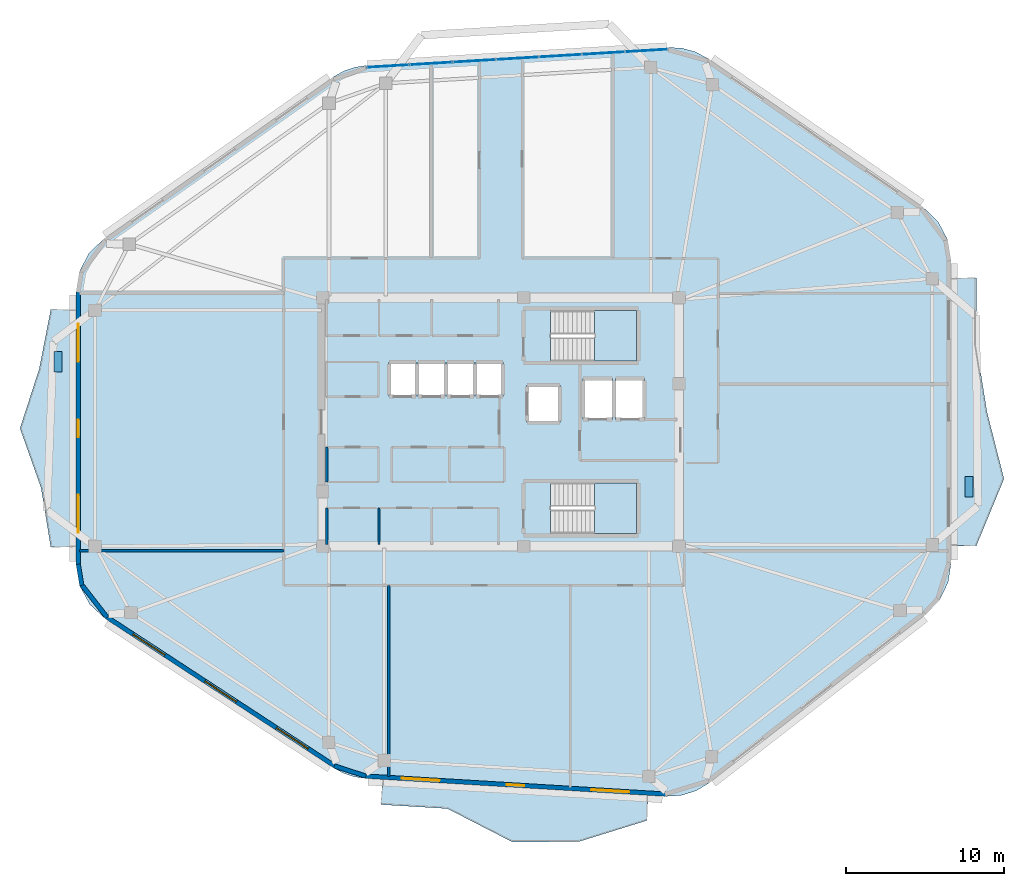
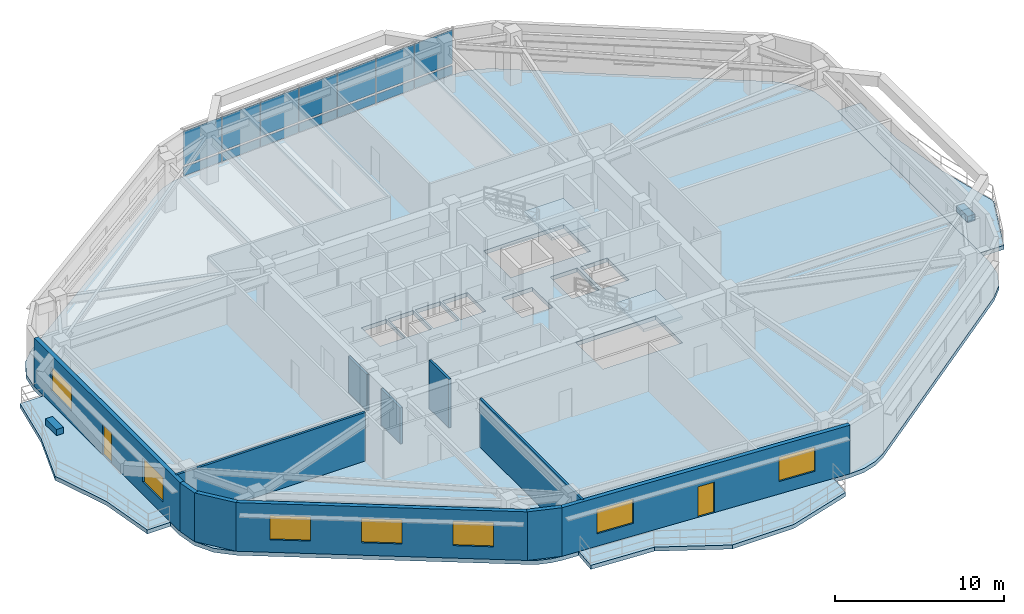
# One storey, part 5 of 12: 16 plates, 11 walls, 7 windows, 6 slabs, 2 doors, 9 openings, 3 elements without a shape of their own.
"""IFC4 building model written with IfcOpenShell, lengths in metres."""

from ifc_helpers import new_model, si_unit, direction, frame, frame_2d, origin, origin_2d, place, context, subcontext, project, spatial, polyline, rectangle, outline, extrude, material, layer, layer_set, type_object, element, fill, aggregate, save


model = new_model("IFC4")

# Units and contexts
model_context = context("Model", 3, precision=1e-05, world=origin(), true_north=direction((0.0, 1.0)))
body_context = subcontext(model_context, "Body", "Model", "MODEL_VIEW")
ifc_project = project(units=[si_unit("LENGTHUNIT", "METRE"), si_unit("AREAUNIT", "SQUARE_METRE"), si_unit("VOLUMEUNIT", "CUBIC_METRE"), si_unit("PLANEANGLEUNIT", "RADIAN"), si_unit("MASSUNIT", "GRAM", prefix="KILO")], contexts=[model_context])

# Site, building, storey
site_placement = place(None, origin())
site = spatial("IfcSite", under=ifc_project, at=site_placement, CompositionType="ELEMENT")
building_placement = place(site_placement, origin())
building = spatial("IfcBuilding", under=site, at=building_placement, Name="Zulverin Broadcast Headquarters", CompositionType="ELEMENT")
storey_placement = place(building_placement, frame((0.0, 0.0, 240.199951171875)))
storey = spatial("IfcBuildingStorey", under=building, at=storey_placement, Name="L61", CompositionType="ELEMENT", Elevation=240.199951171875)

# Curtain wall, plates
ifc_material_1 = material(Name="High-zone solar-control unitised curtain wall", Category="aluminium")
curtain_wall_type = type_object("IfcCurtainWallType", Name="CW-TWR-UPP", PredefinedType="USERDEFINED", material=ifc_material_1)
curtain_wall_placement = place(storey_placement, origin())
curtain_wall = element("IfcCurtainWall", 1, at=curtain_wall_placement, inside=storey, type_object=curtain_wall_type, Name="L61 Unitised Curtain Wall CW-L61-E5", ObjectType="UNITISED CURTAIN WALL", PredefinedType="USERDEFINED")
ifc_material_2 = material(Name="Low-E double-glazed pale-silver vision glass", Category="glass")
ifc_layer_1 = layer(ifc_material_2, 0.035888671875, Name="Low-E double-glazed pale-silver vision glass", Category="glass")
ifc_layer_set_1 = layer_set([ifc_layer_1], Name="Low-E double-glazed pale-silver vision glass")
plate_type_1 = type_object("IfcPlateType", Name="CW-PNL-GLZ", PredefinedType="CURTAIN_PANEL", material=ifc_layer_set_1)
plate_1_placement = place(storey_placement, frame((46.201904296875, 48.713623046875, 0.9072265625), z_axis=(0.0, 0.0, 1.0), x_axis=(-0.99820257679, -0.059930090026, 0.0)))
plate_1 = element("IfcPlate", 2, at=plate_1_placement, type_object=plate_type_1, Name="CW-L61-E5 Vision Panel 00", PredefinedType="CURTAIN_PANEL", context=body_context, shape_type="SweptSolid", body=[
    extrude(rectangle(XDim=2.690185546875, YDim=0.035888671875, at=origin_2d()), origin(), (0.0, 0.0, 1.0), 2.462646484375),
])
plate_2_placement = place(storey_placement, frame((43.476806640625, 48.550048828125, 0.9072265625), z_axis=(0.0, 0.0, 1.0), x_axis=(-0.99820257679, -0.059930090026, 0.0)))
plate_2 = element("IfcPlate", 3, at=plate_2_placement, type_object=plate_type_1, Name="CW-L61-E5 Vision Panel 01", PredefinedType="CURTAIN_PANEL", context=body_context, shape_type="SweptSolid", body=[
    extrude(rectangle(XDim=2.690185546875, YDim=0.035888671875, at=origin_2d()), origin(), (0.0, 0.0, 1.0), 2.462646484375),
])
plate_3_placement = place(storey_placement, frame((40.751708984375, 48.386474609375, 0.9072265625), z_axis=(0.0, 0.0, 1.0), x_axis=(-0.99820257679, -0.059930090026, 0.0)))
plate_3 = element("IfcPlate", 4, at=plate_3_placement, type_object=plate_type_1, Name="CW-L61-E5 Vision Panel 02", PredefinedType="CURTAIN_PANEL", context=body_context, shape_type="SweptSolid", body=[
    extrude(rectangle(XDim=2.690185546875, YDim=0.035888671875, at=origin_2d()), origin(), (0.0, 0.0, 1.0), 2.462646484375),
])
plate_4_placement = place(storey_placement, frame((38.0263671875, 48.222900390625, 0.9072265625), z_axis=(0.0, 0.0, 1.0), x_axis=(-0.99820257679, -0.059930090026, 0.0)))
plate_4 = element("IfcPlate", 5, at=plate_4_placement, type_object=plate_type_1, Name="CW-L61-E5 Vision Panel 03", PredefinedType="CURTAIN_PANEL", context=body_context, shape_type="SweptSolid", body=[
    extrude(rectangle(XDim=2.690185546875, YDim=0.035888671875, at=origin_2d()), origin(), (0.0, 0.0, 1.0), 2.462646484375),
])
plate_5_placement = place(storey_placement, frame((35.301025390625, 48.05908203125, 0.9072265625), z_axis=(0.0, 0.0, 1.0), x_axis=(-0.99820257679, -0.059930090026, 0.0)))
plate_5 = element("IfcPlate", 6, at=plate_5_placement, type_object=plate_type_1, Name="CW-L61-E5 Vision Panel 04", PredefinedType="CURTAIN_PANEL", context=body_context, shape_type="SweptSolid", body=[
    extrude(rectangle(XDim=2.690185546875, YDim=0.035888671875, at=origin_2d()), origin(), (0.0, 0.0, 1.0), 2.462646484375),
])
plate_6_placement = place(storey_placement, frame((32.575927734375, 47.8955078125, 0.9072265625), z_axis=(0.0, 0.0, 1.0), x_axis=(-0.99820257679, -0.059930090026, 0.0)))
plate_6 = element("IfcPlate", 7, at=plate_6_placement, type_object=plate_type_1, Name="CW-L61-E5 Vision Panel 05", PredefinedType="CURTAIN_PANEL", context=body_context, shape_type="SweptSolid", body=[
    extrude(rectangle(XDim=2.690185546875, YDim=0.035888671875, at=origin_2d()), origin(), (0.0, 0.0, 1.0), 2.462646484375),
])
plate_7_placement = place(storey_placement, frame((29.8505859375, 47.73193359375, 0.9072265625), z_axis=(0.0, 0.0, 1.0), x_axis=(-0.99820257679, -0.059930090026, 0.0)))
plate_7 = element("IfcPlate", 8, at=plate_7_placement, type_object=plate_type_1, Name="CW-L61-E5 Vision Panel 06", PredefinedType="CURTAIN_PANEL", context=body_context, shape_type="SweptSolid", body=[
    extrude(rectangle(XDim=2.690185546875, YDim=0.035888671875, at=origin_2d()), origin(), (0.0, 0.0, 1.0), 2.462646484375),
])
ifc_material_3 = material(Name="Insulated brushed pale-aluminium spandrel cassette", Category="aluminium")
ifc_layer_2 = layer(ifc_material_3, 0.050048828125, Name="Insulated brushed pale-aluminium spandrel cassette", Category="aluminium")
ifc_layer_set_2 = layer_set([ifc_layer_2], Name="Insulated brushed pale-aluminium spandrel cassette")
plate_type_2 = type_object("IfcPlateType", Name="CW-PNL-SPN", PredefinedType="CURTAIN_PANEL", material=ifc_layer_set_2)
plate_8_placement = place(storey_placement, frame((46.201904296875, 48.713623046875, 0.14013671875), z_axis=(0.0, 0.0, 1.0), x_axis=(-0.99820257679, -0.059930090026, 0.0)))
plate_8 = element("IfcPlate", 9, at=plate_8_placement, type_object=plate_type_2, Name="CW-L61-E5 Spandrel Cassette 00", PredefinedType="CURTAIN_PANEL", context=body_context, shape_type="SweptSolid", body=[
    extrude(rectangle(XDim=2.690185546875, YDim=0.050048828125, at=origin_2d()), origin(), (0.0, 0.0, 1.0), 0.637451171875),
])
plate_9_placement = place(storey_placement, frame((43.476806640625, 48.550048828125, 0.14013671875), z_axis=(0.0, 0.0, 1.0), x_axis=(-0.99820257679, -0.059930090026, 0.0)))
plate_9 = element("IfcPlate", 10, at=plate_9_placement, type_object=plate_type_2, Name="CW-L61-E5 Spandrel Cassette 01", PredefinedType="CURTAIN_PANEL", context=body_context, shape_type="SweptSolid", body=[
    extrude(rectangle(XDim=2.690185546875, YDim=0.050048828125, at=origin_2d()), origin(), (0.0, 0.0, 1.0), 0.637451171875),
])
plate_10_placement = place(storey_placement, frame((40.751708984375, 48.386474609375, 0.14013671875), z_axis=(0.0, 0.0, 1.0), x_axis=(-0.99820257679, -0.059930090026, 0.0)))
plate_10 = element("IfcPlate", 11, at=plate_10_placement, type_object=plate_type_2, Name="CW-L61-E5 Spandrel Cassette 02", PredefinedType="CURTAIN_PANEL", context=body_context, shape_type="SweptSolid", body=[
    extrude(rectangle(XDim=2.690185546875, YDim=0.050048828125, at=origin_2d()), origin(), (0.0, 0.0, 1.0), 0.637451171875),
])
plate_11_placement = place(storey_placement, frame((38.0263671875, 48.222900390625, 0.14013671875), z_axis=(0.0, 0.0, 1.0), x_axis=(-0.99820257679, -0.059930090026, 0.0)))
plate_11 = element("IfcPlate", 12, at=plate_11_placement, type_object=plate_type_2, Name="CW-L61-E5 Spandrel Cassette 03", PredefinedType="CURTAIN_PANEL", context=body_context, shape_type="SweptSolid", body=[
    extrude(rectangle(XDim=2.690185546875, YDim=0.050048828125, at=origin_2d()), origin(), (0.0, 0.0, 1.0), 0.637451171875),
])
plate_12_placement = place(storey_placement, frame((35.301025390625, 48.05908203125, 0.14013671875), z_axis=(0.0, 0.0, 1.0), x_axis=(-0.99820257679, -0.059930090026, 0.0)))
plate_12 = element("IfcPlate", 13, at=plate_12_placement, type_object=plate_type_2, Name="CW-L61-E5 Spandrel Cassette 04", PredefinedType="CURTAIN_PANEL", context=body_context, shape_type="SweptSolid", body=[
    extrude(rectangle(XDim=2.690185546875, YDim=0.050048828125, at=origin_2d()), origin(), (0.0, 0.0, 1.0), 0.637451171875),
])
plate_13_placement = place(storey_placement, frame((32.575927734375, 47.8955078125, 0.14013671875), z_axis=(0.0, 0.0, 1.0), x_axis=(-0.99820257679, -0.059930090026, 0.0)))
plate_13 = element("IfcPlate", 14, at=plate_13_placement, type_object=plate_type_2, Name="CW-L61-E5 Spandrel Cassette 05", PredefinedType="CURTAIN_PANEL", context=body_context, shape_type="SweptSolid", body=[
    extrude(rectangle(XDim=2.690185546875, YDim=0.050048828125, at=origin_2d()), origin(), (0.0, 0.0, 1.0), 0.637451171875),
])
plate_14_placement = place(storey_placement, frame((29.8505859375, 47.73193359375, 0.14013671875), z_axis=(0.0, 0.0, 1.0), x_axis=(-0.99820257679, -0.059930090026, 0.0)))
plate_14 = element("IfcPlate", 15, at=plate_14_placement, type_object=plate_type_2, Name="CW-L61-E5 Spandrel Cassette 06", PredefinedType="CURTAIN_PANEL", context=body_context, shape_type="SweptSolid", body=[
    extrude(rectangle(XDim=2.690185546875, YDim=0.050048828125, at=origin_2d()), origin(), (0.0, 0.0, 1.0), 0.637451171875),
])
aggregate(curtain_wall, [plate_8, plate_1, plate_9, plate_2, plate_10, plate_3, plate_11, plate_4, plate_12, plate_5, plate_13, plate_6, plate_14, plate_7])

# Plates
ifc_material_4 = material(Name="Precast concrete C45/55", Category="concrete")
ifc_layer_3 = layer(ifc_material_4, 0.449951171875, Name="Precast concrete C45/55", Category="concrete")
ifc_layer_set_3 = layer_set([ifc_layer_3], Name="Precast concrete C45/55")
plate_type_3 = type_object("IfcPlateType", Name="PT-01_PRECAST_GFRC_TREE_PLANTER", PredefinedType="USERDEFINED", material=ifc_layer_set_3)
for number, where, z_axis, x_axis, name in (
    (16, (66.64990234375, 21.0908203125, -0.0048828125), (0.0, 0.0, 1.0), (0.0, 1.0, 0.0), "L61 Precast GFRC Tree Planter BAL_E"),
    (17, (8.949951171875, 29.0126953125, -0.0048828125), (0.0, 0.0, 1.0), (0.0, 1.0, 0.0), "L61 Precast GFRC Tree Planter BAL_W"),
):
    element("IfcPlate", number, at=place(storey_placement, frame(where, z_axis=z_axis, x_axis=x_axis)), inside=storey, type_object=plate_type_3, Name=name, ObjectType="PLANTER", PredefinedType="USERDEFINED", context=body_context, shape_type="SweptSolid", body=[
        extrude(rectangle(XDim=1.300048828125, YDim=0.5, at=origin_2d()), origin(), (0.0, 0.0, 1.0), 0.449951171875),
    ])

# Slabs
ifc_material_5 = material(Name="Concrete C40/50", Category="concrete")
ifc_layer_4 = layer(ifc_material_5, 0.2900390625, Name="Concrete C40/50", Category="concrete")
ifc_layer_set_4 = layer_set([ifc_layer_4], Name="Concrete C40/50")
slab_type_1 = type_object("IfcSlabType", Name="SLB-BAL-290", PredefinedType="FLOOR", material=ifc_layer_set_4)
slab_1_placement = place(storey_placement, frame((0.0, 0.0, -0.2900390625)))
element("IfcSlab", 18, at=slab_1_placement, inside=storey, type_object=slab_type_1, Name="L61 Cantilevered Planted Balcony Slab BAL_E", PredefinedType="FLOOR", context=body_context, shape_type="SweptSolid", body=[
    extrude(outline(polyline([(65.5, 34.32568359375), (65.5, 17.357666015625), (67.10009765625, 17.357666015625), (68.85400390625, 21.599609375), (67.773193359375, 25.841796875), (67.10009765625, 30.083740234375), (67.10009765625, 34.32568359375), (65.5, 34.32568359375)])), origin(), (0.0, 0.0, 1.0), 0.2900390625),
])
slab_2_placement = place(storey_placement, frame((0.0, 0.0, -0.2900390625)))
element("IfcSlab", 19, at=slab_2_placement, inside=storey, type_object=slab_type_1, Name="L61 Cantilevered Planted Balcony Slab BAL_S", PredefinedType="FLOOR", context=body_context, shape_type="SweptSolid", body=[
    extrude(outline(polyline([(46.32958984375, 1.55859375), (29.500244140625, 2.56884765625), (29.404296875, 0.9716796875), (33.61181640625, 0.71923828125), (37.707763671875, -1.388671875), (41.93115234375, -1.373291015625), (46.233642578125, -0.03857421875), (46.32958984375, 1.55859375)])), origin(), (0.0, 0.0, 1.0), 0.2900390625),
])
slab_3_placement = place(storey_placement, frame((0.0, 0.0, -0.2900390625)))
element("IfcSlab", 20, at=slab_3_placement, inside=storey, type_object=slab_type_1, Name="L61 Cantilevered Planted Balcony Slab BAL_W", PredefinedType="FLOOR", context=body_context, shape_type="SweptSolid", body=[
    extrude(outline(polyline([(10.10009765625, 17.2685546875), (10.10009765625, 32.3251953125), (8.5, 32.3251953125), (7.767578125, 28.56103515625), (6.550048828125, 24.797119140625), (7.882080078125, 21.03271484375), (8.5, 17.2685546875), (10.10009765625, 17.2685546875)])), origin(), (0.0, 0.0, 1.0), 0.2900390625),
])

# Stair, slab
stair_type = type_object("IfcStairType", Name="ST-CORE-1500", PredefinedType="HALF_TURN_STAIR", material=ifc_material_5)
stair_1_placement = place(storey_placement, origin())
stair_1 = element("IfcStair", 21, at=stair_1_placement, inside=storey, type_object=stair_type, Name="L61 Core Exit Stair ST-1", PredefinedType="HALF_TURN_STAIR")
ifc_layer_5 = layer(ifc_material_5, 0.199951171875, Name="Concrete C40/50", Category="concrete")
ifc_layer_set_5 = layer_set([ifc_layer_5], Name="Concrete C40/50")
slab_type_2 = type_object("IfcSlabType", Name="SLB-ST-LND200", PredefinedType="LANDING", material=ifc_layer_set_5)
slab_4_placement = place(storey_placement, frame((0.0, 0.0, 1.699951171875)))
slab_4 = element("IfcSlab", 22, at=slab_4_placement, type_object=slab_type_2, Name="ST-1 landing 1", PredefinedType="LANDING", context=body_context, shape_type="SweptSolid", body=[
    extrude(outline(polyline([(42.929931640625, 29.050048828125), (45.60009765625, 29.050048828125), (45.60009765625, 32.25), (42.929931640625, 32.25), (42.929931640625, 29.050048828125)])), origin(), (0.0, 0.0, 1.0), 0.2001953125),
])
aggregate(stair_1, [slab_4])

stair_2_placement = place(storey_placement, origin())
stair_2 = element("IfcStair", 23, at=stair_2_placement, inside=storey, type_object=stair_type, Name="L61 Core Exit Stair ST-2", PredefinedType="HALF_TURN_STAIR")
slab_5_placement = place(storey_placement, frame((0.0, 0.0, 1.699951171875)))
slab_5 = element("IfcSlab", 24, at=slab_5_placement, type_object=slab_type_2, Name="ST-2 landing 1", PredefinedType="LANDING", context=body_context, shape_type="SweptSolid", body=[
    extrude(outline(polyline([(42.929931640625, 18.14990234375), (45.60009765625, 18.14990234375), (45.60009765625, 21.35009765625), (42.929931640625, 21.35009765625), (42.929931640625, 18.14990234375)])), origin(), (0.0, 0.0, 1.0), 0.2001953125),
])
aggregate(stair_2, [slab_5])

# Slab
ifc_layer_6 = layer(ifc_material_5, 0.2900390625, Name="Concrete C40/50", Category="concrete")
ifc_layer_set_6 = layer_set([ifc_layer_6], Name="Concrete C40/50")
slab_type_3 = type_object("IfcSlabType", Name="SLB-TWR-290", PredefinedType="FLOOR", material=ifc_layer_set_6)
slab_6_placement = place(storey_placement, frame((0.0, 0.0, -0.2900390625)))
element("IfcSlab", 25, at=slab_6_placement, inside=storey, type_object=slab_type_3, Name="L61 Main Structural Floor Slab", PredefinedType="FLOOR", context=body_context, shape_type="SweptSolid", body=[
    extrude(outline(polyline([(26.405029296875, 3.295166015625), (27.029296875, 2.96044921875), (27.70166015625, 2.738037109375), (28.402099609375, 2.634765625), (47.427490234375, 1.49267578125), (48.40869140625, 1.5517578125), (49.347412109375, 1.842529296875), (50.18994140625, 2.348388671875), (63.91650390625, 13.02099609375), (64.7685546875, 13.92041015625), (65.312744140625, 15.033203125), (65.5, 16.2578125), (65.5, 35.42578125), (65.289306640625, 36.723388671875), (64.6787109375, 37.887451171875), (63.73095703125, 38.798583984375), (50.13427734375, 48.1953125), (49.3359375, 48.625244140625), (48.462890625, 48.869140625), (47.557373046875, 48.915283203125), (28.48095703125, 47.77001953125), (27.73291015625, 47.655029296875), (27.0185546875, 47.404541015625), (26.362548828125, 47.027099609375), (11.8359375, 36.775146484375), (10.9052734375, 35.865478515625), (10.306396484375, 34.710205078125), (10.10009765625, 33.42529296875), (10.10009765625, 16.168701171875), (10.322021484375, 14.83740234375), (10.96435546875, 13.650390625), (11.957275390625, 12.736328125), (26.405029296875, 3.295166015625)]), holes=[polyline([(40.155029296875, 30.75), (40.130126953125, 30.75), (40.130126953125, 32.25), (45.60009765625, 32.25), (45.60009765625, 29.050048828125), (40.155029296875, 29.050048828125), (40.155029296875, 30.75)]), polyline([(40.155029296875, 19.85009765625), (40.130126953125, 19.85009765625), (40.130126953125, 21.35009765625), (45.60009765625, 21.35009765625), (45.60009765625, 18.14990234375), (40.155029296875, 18.14990234375), (40.155029296875, 19.85009765625)]), polyline([(29.89990234375, 26.800048828125), (31.6201171875, 26.800048828125), (31.6201171875, 29.0), (29.89990234375, 29.0), (29.89990234375, 26.800048828125)]), polyline([(31.739990234375, 26.800048828125), (33.4599609375, 26.800048828125), (33.4599609375, 29.0), (31.739990234375, 29.0), (31.739990234375, 26.800048828125)]), polyline([(33.580078125, 26.800048828125), (35.300048828125, 26.800048828125), (35.300048828125, 29.0), (33.580078125, 29.0), (33.580078125, 26.800048828125)]), polyline([(35.419921875, 26.800048828125), (37.139892578125, 26.800048828125), (37.139892578125, 29.0), (35.419921875, 29.0), (35.419921875, 26.800048828125)]), polyline([(42.199951171875, 25.35009765625), (44.050048828125, 25.35009765625), (44.050048828125, 27.949951171875), (42.199951171875, 27.949951171875), (42.199951171875, 25.35009765625)]), polyline([(44.25, 25.35009765625), (46.10009765625, 25.35009765625), (46.10009765625, 27.949951171875), (44.25, 27.949951171875), (44.25, 25.35009765625)]), polyline([(38.64990234375, 25.14990234375), (40.75, 25.14990234375), (40.75, 27.550048828125), (38.64990234375, 27.550048828125), (38.64990234375, 25.14990234375)])]), origin(), (0.0, 0.0, 1.0), 0.2900390625),
])

# Wall, openings, door, windows
ifc_material_6 = material(Name="Insulated pale-metal clad concrete spandrel C40/50", Category="concrete")
ifc_layer_7 = layer(ifc_material_6, 0.280029296875, Name="Insulated pale-metal clad concrete spandrel C40/50", Category="concrete")
ifc_layer_set_7 = layer_set([ifc_layer_7], Name="Insulated pale-metal clad concrete spandrel C40/50")
wall_type_1 = type_object("IfcWallType", Name="WL-EXT-280", PredefinedType="STANDARD", material=ifc_layer_set_7)
wall_1_placement = place(storey_placement, frame((28.41064453125, 2.7744140625, 0.0), z_axis=(0.0, 0.0, 1.0), x_axis=(0.998203068368, -0.059921901676, 0.0)))
wall_1 = element("IfcWall", 26, at=wall_1_placement, inside=storey, type_object=wall_type_1, Name="L61 Pale-Metal Clad Spandrel Wall 1", PredefinedType="STANDARD", context=body_context, shape_type="SweptSolid", body=[
    extrude(rectangle(XDim=19.0595703125, YDim=0.280029296875, at=frame_2d((9.52978515625, 0.0))), origin(), (0.0, 0.0, 1.0), 3.510009765625),
])
opening_1_placement = place(wall_1_placement, frame((8.979736328125, 0.0, 0.0)))
opening_1 = element("IfcOpeningElement", 27, at=opening_1_placement, cuts=wall_1, Name="Opening D-L61-TR1", PredefinedType="OPENING", context=body_context, shape_type="SweptSolid", body=[
    extrude(rectangle(XDim=1.10009765625, YDim=2.199951171875, at=frame_2d((0.550048828125, 1.10009765625))), frame((0.0, 0.14990234375, 0.0), z_axis=(0.0, -1.0, 0.0), x_axis=(1.0, 0.0, 0.0)), (0.0, 0.0, 1.0), 0.300048828125),
])
opening_2_placement = place(wall_1_placement, frame((2.309814453125, 0.0, 0.89990234375)))
opening_2 = element("IfcOpeningElement", 28, at=opening_2_placement, cuts=wall_1, Name="Opening W-L61-E11", PredefinedType="OPENING", context=body_context, shape_type="SweptSolid", body=[
    extrude(rectangle(XDim=2.39990234375, YDim=1.75, at=frame_2d((1.199951171875, 0.875))), frame((0.0, 0.14990234375, 0.0), z_axis=(0.0, -1.0, 0.0), x_axis=(1.0, 0.0, 0.0)), (0.0, 0.0, 1.0), 0.300048828125),
])
opening_3_placement = place(wall_1_placement, frame((14.349609375, 0.0, 0.89990234375)))
opening_3 = element("IfcOpeningElement", 29, at=opening_3_placement, cuts=wall_1, Name="Opening W-L61-E12", PredefinedType="OPENING", context=body_context, shape_type="SweptSolid", body=[
    extrude(rectangle(XDim=2.39990234375, YDim=1.75, at=frame_2d((1.199951171875, 0.875))), frame((0.0, 0.14990234375, 0.0), z_axis=(0.0, -1.0, 0.0), x_axis=(1.0, 0.0, 0.0)), (0.0, 0.0, 1.0), 0.300048828125),
])
ifc_material_7 = material(Name="Thermally broken aluminium glazed", Category="aluminium")
door_type = type_object("IfcDoorType", Name="DR-TERR-1100", OperationType="SINGLE_SWING_RIGHT", PredefinedType="DOOR", material=ifc_material_7)
door_1_placement = place(opening_1_placement, origin())
door_1 = element("IfcDoor", 30, at=door_1_placement, inside=storey, type_object=door_type, Name="L61 Planted Terrace Glazed Access Door 1", OperationType="SINGLE_SWING_RIGHT", OverallHeight=2.199951171875, OverallWidth=1.10009765625, PredefinedType="DOOR", context=body_context, shape_type="SweptSolid", body=[
    extrude(rectangle(XDim=1.10009765625, YDim=2.199951171875, at=frame_2d((0.550048828125, 1.10009765625))), frame((0.0, 0.02490234375, 0.0), z_axis=(0.0, -1.0, 0.0), x_axis=(1.0, 0.0, 0.0)), (0.0, 0.0, 1.0), 0.050048828125),
])
fill(opening_1, door_1)
ifc_material_8 = material(Name="Pale anodized aluminium frame with solar-control low-E double glazing", Category="aluminium")
window_type = type_object("IfcWindowType", Name="WIN-RIB-2400", PartitioningType="SINGLE_PANEL", PredefinedType="WINDOW", material=ifc_material_8)
window_1_placement = place(opening_2_placement, origin())
window_1 = element("IfcWindow", 31, at=window_1_placement, inside=storey, type_object=window_type, Name="L61 Ribbon Glazing Window 1 1", OverallHeight=1.75, OverallWidth=2.39990234375, PartitioningType="SINGLE_PANEL", PredefinedType="WINDOW", context=body_context, shape_type="SweptSolid", body=[
    extrude(rectangle(XDim=2.39990234375, YDim=1.75, at=frame_2d((1.199951171875, 0.875))), frame((0.0, 0.030029296875, 0.0), z_axis=(0.0, -1.0, 0.0), x_axis=(1.0, 0.0, 0.0)), (0.0, 0.0, 1.0), 0.06005859375),
])
fill(opening_2, window_1)
window_2_placement = place(opening_3_placement, origin())
window_2 = element("IfcWindow", 32, at=window_2_placement, inside=storey, type_object=window_type, Name="L61 Ribbon Glazing Window 1 2", OverallHeight=1.75, OverallWidth=2.39990234375, PartitioningType="SINGLE_PANEL", PredefinedType="WINDOW", context=body_context, shape_type="SweptSolid", body=[
    extrude(rectangle(XDim=2.39990234375, YDim=1.75, at=frame_2d((1.199951171875, 0.875))), frame((0.0, 0.030029296875, 0.0), z_axis=(0.0, -1.0, 0.0), x_axis=(1.0, 0.0, 0.0)), (0.0, 0.0, 1.0), 0.06005859375),
])
fill(opening_3, window_2)

wall_2_placement = place(storey_placement, frame((10.239990234375, 33.42529296875, 0.0), z_axis=(0.0, 0.0, 1.0), x_axis=(0.0, -1.0, 0.0)))
wall_2 = element("IfcWall", 33, at=wall_2_placement, inside=storey, type_object=wall_type_1, Name="L61 Pale-Metal Clad Spandrel Wall 7", PredefinedType="STANDARD", context=body_context, shape_type="SweptSolid", body=[
    extrude(rectangle(XDim=17.256591796875, YDim=0.280029296875, at=frame_2d((8.62841796875, 0.0))), origin(), (0.0, 0.0, 1.0), 3.510009765625),
])
opening_4_placement = place(wall_2_placement, frame((8.078369140625, 0.0, 0.0)))
opening_4 = element("IfcOpeningElement", 34, at=opening_4_placement, cuts=wall_2, Name="Opening D-L61-TR7", PredefinedType="OPENING", context=body_context, shape_type="SweptSolid", body=[
    extrude(rectangle(XDim=1.10009765625, YDim=2.199951171875, at=frame_2d((0.550048828125, 1.10009765625))), frame((0.0, 0.14990234375, 0.0), z_axis=(0.0, -1.0, 0.0), x_axis=(1.0, 0.0, 0.0)), (0.0, 0.0, 1.0), 0.300048828125),
])
opening_5_placement = place(wall_2_placement, frame((2.009521484375, 0.0, 0.89990234375)))
opening_5 = element("IfcOpeningElement", 35, at=opening_5_placement, cuts=wall_2, Name="Opening W-L61-E71", PredefinedType="OPENING", context=body_context, shape_type="SweptSolid", body=[
    extrude(rectangle(XDim=2.39990234375, YDim=1.75, at=frame_2d((1.199951171875, 0.875))), frame((0.0, 0.14990234375, 0.0), z_axis=(0.0, -1.0, 0.0), x_axis=(1.0, 0.0, 0.0)), (0.0, 0.0, 1.0), 0.300048828125),
])
opening_6_placement = place(wall_2_placement, frame((12.84716796875, 0.0, 0.89990234375)))
opening_6 = element("IfcOpeningElement", 36, at=opening_6_placement, cuts=wall_2, Name="Opening W-L61-E72", PredefinedType="OPENING", context=body_context, shape_type="SweptSolid", body=[
    extrude(rectangle(XDim=2.39990234375, YDim=1.75, at=frame_2d((1.199951171875, 0.875))), frame((0.0, 0.14990234375, 0.0), z_axis=(0.0, -1.0, 0.0), x_axis=(1.0, 0.0, 0.0)), (0.0, 0.0, 1.0), 0.300048828125),
])
door_2_placement = place(opening_4_placement, origin())
door_2 = element("IfcDoor", 37, at=door_2_placement, inside=storey, type_object=door_type, Name="L61 Planted Terrace Glazed Access Door 7", OperationType="SINGLE_SWING_RIGHT", OverallHeight=2.199951171875, OverallWidth=1.10009765625, PredefinedType="DOOR", context=body_context, shape_type="SweptSolid", body=[
    extrude(rectangle(XDim=1.10009765625, YDim=2.199951171875, at=frame_2d((0.550048828125, 1.10009765625))), frame((0.0, 0.02490234375, 0.0), z_axis=(0.0, -1.0, 0.0), x_axis=(1.0, 0.0, 0.0)), (0.0, 0.0, 1.0), 0.050048828125),
])
fill(opening_4, door_2)
window_3_placement = place(opening_5_placement, origin())
window_3 = element("IfcWindow", 38, at=window_3_placement, inside=storey, type_object=window_type, Name="L61 Ribbon Glazing Window 7 1", OverallHeight=1.75, OverallWidth=2.39990234375, PartitioningType="SINGLE_PANEL", PredefinedType="WINDOW", context=body_context, shape_type="SweptSolid", body=[
    extrude(rectangle(XDim=2.39990234375, YDim=1.75, at=frame_2d((1.199951171875, 0.875))), frame((0.0, 0.030029296875, 0.0), z_axis=(0.0, -1.0, 0.0), x_axis=(1.0, 0.0, 0.0)), (0.0, 0.0, 1.0), 0.06005859375),
])
fill(opening_5, window_3)
window_4_placement = place(opening_6_placement, origin())
window_4 = element("IfcWindow", 39, at=window_4_placement, inside=storey, type_object=window_type, Name="L61 Ribbon Glazing Window 7 2", OverallHeight=1.75, OverallWidth=2.39990234375, PartitioningType="SINGLE_PANEL", PredefinedType="WINDOW", context=body_context, shape_type="SweptSolid", body=[
    extrude(rectangle(XDim=2.39990234375, YDim=1.75, at=frame_2d((1.199951171875, 0.875))), frame((0.0, 0.030029296875, 0.0), z_axis=(0.0, -1.0, 0.0), x_axis=(1.0, 0.0, 0.0)), (0.0, 0.0, 1.0), 0.06005859375),
])
fill(opening_6, window_4)

# Wall, openings, windows
wall_3_placement = place(storey_placement, frame((12.03369140625, 12.853515625, 0.0), z_axis=(0.0, 0.0, 1.0), x_axis=(0.837118352984, -0.547021812269, 0.0)))
wall_3 = element("IfcWall", 40, at=wall_3_placement, inside=storey, type_object=wall_type_1, Name="L61 Pale-Metal Clad Spandrel Wall 8", PredefinedType="STANDARD", context=body_context, shape_type="SweptSolid", body=[
    extrude(rectangle(XDim=17.25927734375, YDim=0.280029296875, at=frame_2d((8.629638671875, 0.0))), origin(), (0.0, 0.0, 1.0), 3.510009765625),
])
opening_7_placement = place(wall_3_placement, frame((2.010009765625, 0.0, 0.89990234375)))
opening_7 = element("IfcOpeningElement", 41, at=opening_7_placement, cuts=wall_3, Name="Opening W-L61-E81", PredefinedType="OPENING", context=body_context, shape_type="SweptSolid", body=[
    extrude(rectangle(XDim=2.39990234375, YDim=1.75, at=frame_2d((1.199951171875, 0.875))), frame((0.0, 0.14990234375, 0.0), z_axis=(0.0, -1.0, 0.0), x_axis=(1.0, 0.0, 0.0)), (0.0, 0.0, 1.0), 0.300048828125),
])
opening_8_placement = place(wall_3_placement, frame((7.4296875, 0.0, 0.89990234375)))
opening_8 = element("IfcOpeningElement", 42, at=opening_8_placement, cuts=wall_3, Name="Opening W-L61-E82", PredefinedType="OPENING", context=body_context, shape_type="SweptSolid", body=[
    extrude(rectangle(XDim=2.39990234375, YDim=1.75, at=frame_2d((1.199951171875, 0.875))), frame((0.0, 0.14990234375, 0.0), z_axis=(0.0, -1.0, 0.0), x_axis=(1.0, 0.0, 0.0)), (0.0, 0.0, 1.0), 0.300048828125),
])
opening_9_placement = place(wall_3_placement, frame((12.849365234375, 0.0, 0.89990234375)))
opening_9 = element("IfcOpeningElement", 43, at=opening_9_placement, cuts=wall_3, Name="Opening W-L61-E83", PredefinedType="OPENING", context=body_context, shape_type="SweptSolid", body=[
    extrude(rectangle(XDim=2.39990234375, YDim=1.75, at=frame_2d((1.199951171875, 0.875))), frame((0.0, 0.14990234375, 0.0), z_axis=(0.0, -1.0, 0.0), x_axis=(1.0, 0.0, 0.0)), (0.0, 0.0, 1.0), 0.300048828125),
])
window_5_placement = place(opening_7_placement, origin())
window_5 = element("IfcWindow", 44, at=window_5_placement, inside=storey, type_object=window_type, Name="L61 Ribbon Glazing Window 8 1", OverallHeight=1.75, OverallWidth=2.39990234375, PartitioningType="SINGLE_PANEL", PredefinedType="WINDOW", context=body_context, shape_type="SweptSolid", body=[
    extrude(rectangle(XDim=2.39990234375, YDim=1.75, at=frame_2d((1.199951171875, 0.875))), frame((0.0, 0.030029296875, 0.0), z_axis=(0.0, -1.0, 0.0), x_axis=(1.0, 0.0, 0.0)), (0.0, 0.0, 1.0), 0.06005859375),
])
fill(opening_7, window_5)
window_6_placement = place(opening_8_placement, origin())
window_6 = element("IfcWindow", 45, at=window_6_placement, inside=storey, type_object=window_type, Name="L61 Ribbon Glazing Window 8 2", OverallHeight=1.75, OverallWidth=2.39990234375, PartitioningType="SINGLE_PANEL", PredefinedType="WINDOW", context=body_context, shape_type="SweptSolid", body=[
    extrude(rectangle(XDim=2.39990234375, YDim=1.75, at=frame_2d((1.199951171875, 0.875))), frame((0.0, 0.030029296875, 0.0), z_axis=(0.0, -1.0, 0.0), x_axis=(1.0, 0.0, 0.0)), (0.0, 0.0, 1.0), 0.06005859375),
])
fill(opening_8, window_6)
window_7_placement = place(opening_9_placement, origin())
window_7 = element("IfcWindow", 46, at=window_7_placement, inside=storey, type_object=window_type, Name="L61 Ribbon Glazing Window 8 3", OverallHeight=1.75, OverallWidth=2.39990234375, PartitioningType="SINGLE_PANEL", PredefinedType="WINDOW", context=body_context, shape_type="SweptSolid", body=[
    extrude(rectangle(XDim=2.39990234375, YDim=1.75, at=frame_2d((1.199951171875, 0.875))), frame((0.0, 0.030029296875, 0.0), z_axis=(0.0, -1.0, 0.0), x_axis=(1.0, 0.0, 0.0)), (0.0, 0.0, 1.0), 0.06005859375),
])
fill(opening_9, window_7)

# Walls
wall_4_placement = place(storey_placement, frame((10.238037109375, 16.191650390625, 0.0), z_axis=(0.0, 0.0, 1.0), x_axis=(0.164604311367, -0.986359681191, 0.0)))
element("IfcWall", 47, at=wall_4_placement, inside=storey, type_object=wall_type_1, Name="L61 Wind-Shaped Corner Spandrel Wall 7-1", PredefinedType="STANDARD", context=body_context, shape_type="SweptSolid", body=[
    extrude(rectangle(XDim=1.349609375, YDim=0.280029296875, at=frame_2d((0.6748046875, 0.0))), origin(), (0.0, 0.0, 1.0), 3.510009765625),
])
wall_5_placement = place(storey_placement, frame((10.4326171875, 14.92333984375, 0.0), z_axis=(0.0, 0.0, 1.0), x_axis=(0.614181852676, -0.78916452774, 0.0)))
element("IfcWall", 48, at=wall_5_placement, inside=storey, type_object=wall_type_1, Name="L61 Wind-Shaped Corner Spandrel Wall 7-2", PredefinedType="STANDARD", context=body_context, shape_type="SweptSolid", body=[
    extrude(rectangle(XDim=2.662109375, YDim=0.280029296875, at=frame_2d((1.3310546875, 0.0))), origin(), (0.0, 0.0, 1.0), 3.510009765625),
])
wall_6_placement = place(storey_placement, frame((26.44921875, 3.427978515625, 0.0), z_axis=(0.0, 0.0, 1.0), x_axis=(0.949435039229, -0.313963542923, 0.0)))
element("IfcWall", 49, at=wall_6_placement, inside=storey, type_object=wall_type_1, Name="L61 Wind-Shaped Corner Spandrel Wall 8-1", PredefinedType="STANDARD", context=body_context, shape_type="SweptSolid", body=[
    extrude(rectangle(XDim=2.103515625, YDim=0.280029296875, at=frame_2d((1.0517578125, 0.0))), origin(), (0.0, 0.0, 1.0), 3.510009765625),
])
ifc_material_9 = material(Name="Fire-rated gypsum stud partition", Category="gypsum")
ifc_layer_8 = layer(ifc_material_9, 0.14990234375, Name="Fire-rated gypsum stud partition", Category="gypsum")
ifc_layer_set_8 = layer_set([ifc_layer_8], Name="Fire-rated gypsum stud partition")
wall_type_2 = type_object("IfcWallType", Name="WL-PART-150", PredefinedType="PARTITIONING", material=ifc_layer_set_8)
wall_7_placement = place(storey_placement, frame((25.969970703125, 17.449951171875, 0.0), z_axis=(0.0, 0.0, 1.0), x_axis=(0.0, 1.0, 0.0)))
element("IfcWall", 50, at=wall_7_placement, inside=storey, type_object=wall_type_2, Name="L61 Core Female WC West Wall", PredefinedType="PARTITIONING", context=body_context, shape_type="SweptSolid", body=[
    extrude(rectangle(XDim=2.300048828125, YDim=0.14990234375, at=frame_2d((1.14990234375, 0.0))), origin(), (0.0, 0.0, 1.0), 2.610107421875),
])
wall_8_placement = place(storey_placement, frame((29.280029296875, 17.449951171875, 0.0), z_axis=(0.0, 0.0, 1.0), x_axis=(0.0, 1.0, 0.0)))
element("IfcWall", 51, at=wall_8_placement, inside=storey, type_object=wall_type_2, Name="L61 Core Cleaner Store West Wall", PredefinedType="PARTITIONING", context=body_context, shape_type="SweptSolid", body=[
    extrude(rectangle(XDim=2.300048828125, YDim=0.14990234375, at=frame_2d((1.14990234375, 0.0))), origin(), (0.0, 0.0, 1.0), 3.510009765625),
])
wall_9_placement = place(storey_placement, frame((25.969970703125, 21.39990234375, 0.0), z_axis=(0.0, 0.0, 1.0), x_axis=(0.0, 1.0, 0.0)))
element("IfcWall", 52, at=wall_9_placement, inside=storey, type_object=wall_type_2, Name="L61 Housekeeping Equipment Store W Wall", PredefinedType="PARTITIONING", context=body_context, shape_type="SweptSolid", body=[
    extrude(rectangle(XDim=2.2001953125, YDim=0.14990234375, at=frame_2d((1.10009765625, 0.0))), origin(), (0.0, 0.0, 1.0), 2.610107421875),
])
wall_10_placement = place(storey_placement, frame((29.89990234375, 2.75, 0.0), z_axis=(0.0, 0.0, 1.0), x_axis=(0.0, 1.0, 0.0)))
element("IfcWall", 53, at=wall_10_placement, inside=storey, type_object=wall_type_2, Name="L61 Room Partition Wall RP-08", PredefinedType="PARTITIONING", context=body_context, shape_type="SweptSolid", body=[
    extrude(rectangle(XDim=12.10009765625, YDim=0.14990234375, at=frame_2d((6.050048828125, 0.0))), origin(), (0.0, 0.0, 1.0), 3.510009765625),
])
wall_11_placement = place(storey_placement, frame((10.304931640625, 17.050048828125, 0.0), z_axis=(0.0, 0.0, 1.0), x_axis=(1.0, 0.0, 0.0)))
element("IfcWall", 54, at=wall_11_placement, inside=storey, type_object=wall_type_2, Name="L61 Room Partition Wall RP-11", PredefinedType="PARTITIONING", context=body_context, shape_type="SweptSolid", body=[
    extrude(rectangle(XDim=12.945068359375, YDim=0.14990234375, at=frame_2d((6.47265625, 0.0))), origin(), (0.0, 0.0, 1.0), 3.510009765625),
])

save(model, "model.ifc")
